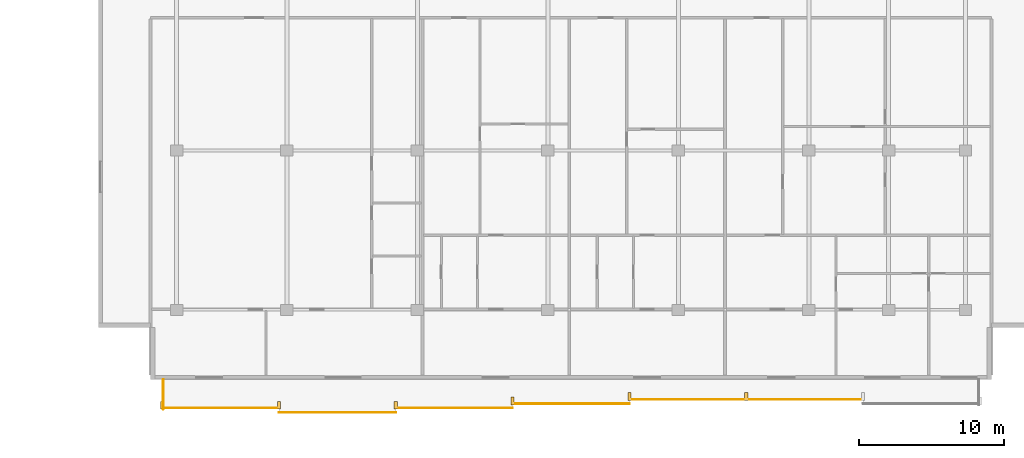
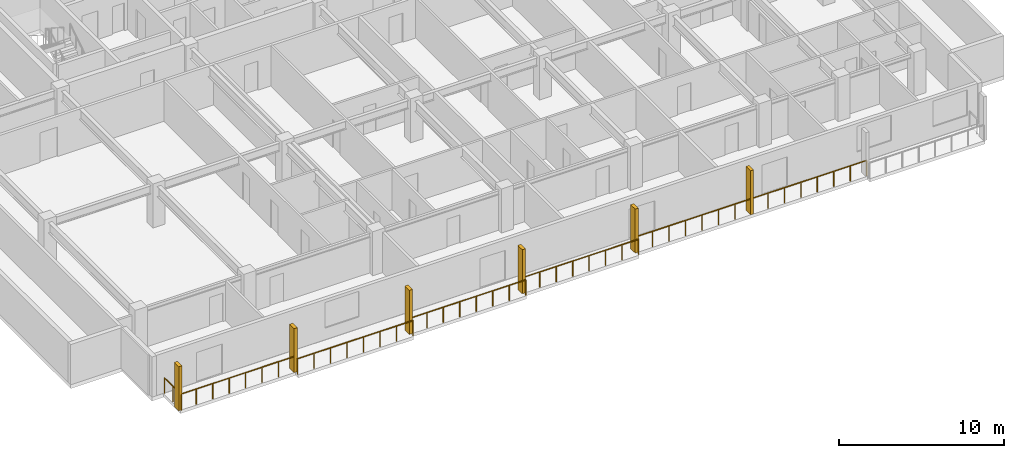
# One storey, part 17 of 21: 6 railings, 6 shading devices.
"""IFC4 building model written with IfcOpenShell, lengths in metres."""

from ifc_helpers import new_model, si_unit, direction, frame, origin, origin_2d, place, context, subcontext, project, spatial, rectangle, circle, extrude, material, type_object, element, save


model = new_model("IFC4")

# Units and contexts
model_context = context("Model", 3, precision=1e-05, world=origin(), true_north=direction((0.0, 1.0)))
body_context = subcontext(model_context, "Body", "Model", "MODEL_VIEW")
ifc_project = project(units=[si_unit("LENGTHUNIT", "METRE"), si_unit("AREAUNIT", "SQUARE_METRE"), si_unit("VOLUMEUNIT", "CUBIC_METRE"), si_unit("PLANEANGLEUNIT", "RADIAN"), si_unit("MASSUNIT", "GRAM", prefix="KILO")], contexts=[model_context])

# Site, building, storey
site_placement = place(None, origin())
site = spatial("IfcSite", under=ifc_project, at=site_placement, CompositionType="ELEMENT")
building_placement = place(site_placement, origin())
building = spatial("IfcBuilding", under=site, at=building_placement, Name="Korimba Cascade Residences", CompositionType="ELEMENT")
storey_placement = place(building_placement, frame((0.0, 0.0, 100.300048828125)))
storey = spatial("IfcBuildingStorey", under=building, at=storey_placement, Name="L28", CompositionType="ELEMENT", Elevation=100.300048828125)

# Railings
ifc_material_1 = material(Name="Laminated Glass and Bronze Balustrade", Category="glass")
railing_type = type_object("IfcRailingType", Name="RLG-LOG-1150", PredefinedType="BALUSTRADE", material=ifc_material_1)
for number, where, name in (
    (1, (73.5, -10.969970703125, 0.0), "L28 Perimeter Guardrail RLG-L28-T2-LOG-01"),
    (2, (81.55712890625, -11.27001953125, 0.0), "L28 Perimeter Guardrail RLG-L28-T2-LOG-02"),
    (3, (89.6142578125, -10.969970703125, 0.0), "L28 Perimeter Guardrail RLG-L28-T2-LOG-03"),
    (4, (97.67138671875, -10.669921875, 0.0), "L28 Perimeter Guardrail RLG-L28-T2-LOG-04"),
):
    element("IfcRailing", number, at=place(storey_placement, frame(where)), inside=storey, type_object=railing_type, Name=name, PredefinedType="BALUSTRADE", context=body_context, shape_type="SweptSolid", body=[
        extrude(circle(Radius=0.02392578125, at=origin_2d()), frame((0.0, 0.0, 1.1259765625), z_axis=(1.0, 0.0, 0.0), x_axis=(0.0, 1.0, 0.0)), (0.0, 0.0, 1.0), 8.05712890625),
        extrude(circle(Radius=0.02099609375, at=origin_2d()), origin(), (0.0, 0.0, 1.0), 1.101806640625),
        extrude(circle(Radius=0.02099609375, at=origin_2d()), frame((1.151123046875, 0.0, 0.0)), (0.0, 0.0, 1.0), 1.101806640625),
        extrude(circle(Radius=0.02099609375, at=origin_2d()), frame((2.302001953125, 0.0, 0.0)), (0.0, 0.0, 1.0), 1.101806640625),
        extrude(circle(Radius=0.02099609375, at=origin_2d()), frame((3.453125, 0.0, 0.0)), (0.0, 0.0, 1.0), 1.101806640625),
        extrude(circle(Radius=0.02099609375, at=origin_2d()), frame((4.60400390625, 0.0, 0.0)), (0.0, 0.0, 1.0), 1.101806640625),
        extrude(circle(Radius=0.02099609375, at=origin_2d()), frame((5.755126953125, 0.0, 0.0)), (0.0, 0.0, 1.0), 1.101806640625),
        extrude(circle(Radius=0.02099609375, at=origin_2d()), frame((6.906005859375, 0.0, 0.0)), (0.0, 0.0, 1.0), 1.101806640625),
        extrude(circle(Radius=0.02099609375, at=origin_2d()), frame((8.05712890625, 0.0, 0.0)), (0.0, 0.0, 1.0), 1.101806640625),
    ])
railing_1_placement = place(storey_placement, frame((105.728515625, -10.3701171875, 0.0)))
element("IfcRailing", 5, at=railing_1_placement, inside=storey, type_object=railing_type, Name="L28 Perimeter Guardrail RLG-L28-T2-LOG-05", PredefinedType="BALUSTRADE", context=body_context, shape_type="SweptSolid", body=[
    extrude(circle(Radius=0.02392578125, at=origin_2d()), frame((0.0, 0.0, 1.1259765625), z_axis=(1.0, 0.0, 0.0), x_axis=(0.0, 1.0, 0.0)), (0.0, 0.0, 1.0), 16.114501953125),
    extrude(circle(Radius=0.02099609375, at=origin_2d()), origin(), (0.0, 0.0, 1.0), 1.101806640625),
    extrude(circle(Radius=0.02099609375, at=origin_2d()), frame((1.151123046875, 0.0, 0.0)), (0.0, 0.0, 1.0), 1.101806640625),
    extrude(circle(Radius=0.02099609375, at=origin_2d()), frame((2.302001953125, 0.0, 0.0)), (0.0, 0.0, 1.0), 1.101806640625),
    extrude(circle(Radius=0.02099609375, at=origin_2d()), frame((3.453125, 0.0, 0.0)), (0.0, 0.0, 1.0), 1.101806640625),
    extrude(circle(Radius=0.02099609375, at=origin_2d()), frame((4.604248046875, 0.0, 0.0)), (0.0, 0.0, 1.0), 1.101806640625),
    extrude(circle(Radius=0.02099609375, at=origin_2d()), frame((5.755126953125, 0.0, 0.0)), (0.0, 0.0, 1.0), 1.101806640625),
    extrude(circle(Radius=0.02099609375, at=origin_2d()), frame((6.90625, 0.0, 0.0)), (0.0, 0.0, 1.0), 1.101806640625),
    extrude(circle(Radius=0.02099609375, at=origin_2d()), frame((8.05712890625, 0.0, 0.0)), (0.0, 0.0, 1.0), 1.101806640625),
    extrude(circle(Radius=0.02099609375, at=origin_2d()), frame((9.208251953125, 0.0, 0.0)), (0.0, 0.0, 1.0), 1.101806640625),
    extrude(circle(Radius=0.02099609375, at=origin_2d()), frame((10.359375, 0.0, 0.0)), (0.0, 0.0, 1.0), 1.101806640625),
    extrude(circle(Radius=0.02099609375, at=origin_2d()), frame((11.51025390625, 0.0, 0.0)), (0.0, 0.0, 1.0), 1.101806640625),
    extrude(circle(Radius=0.02099609375, at=origin_2d()), frame((12.661376953125, 0.0, 0.0)), (0.0, 0.0, 1.0), 1.101806640625),
    extrude(circle(Radius=0.02099609375, at=origin_2d()), frame((13.8125, 0.0, 0.0)), (0.0, 0.0, 1.0), 1.101806640625),
    extrude(circle(Radius=0.02099609375, at=origin_2d()), frame((14.96337890625, 0.0, 0.0)), (0.0, 0.0, 1.0), 1.101806640625),
    extrude(circle(Radius=0.02099609375, at=origin_2d()), frame((16.114501953125, 0.0, 0.0)), (0.0, 0.0, 1.0), 1.101806640625),
])
railing_2_placement = place(storey_placement, frame((73.580078125, -9.0, 0.0)))
element("IfcRailing", 6, at=railing_2_placement, inside=storey, type_object=railing_type, Name="L28 Perimeter Guardrail RLG-L28-T2-LOG-08", PredefinedType="BALUSTRADE", context=body_context, shape_type="SweptSolid", body=[
    extrude(circle(Radius=0.02392578125, at=origin_2d()), frame((0.0, 0.0, 1.1259765625), z_axis=(0.0, -1.0, 0.0), x_axis=(1.0, 0.0, 0.0)), (0.0, 0.0, 1.0), 2.050048828125),
    extrude(circle(Radius=0.02099609375, at=origin_2d()), origin(), (0.0, 0.0, 1.0), 1.101806640625),
    extrude(circle(Radius=0.02099609375, at=origin_2d()), frame((0.0, -1.02490234375, 0.0)), (0.0, 0.0, 1.0), 1.101806640625),
    extrude(circle(Radius=0.02099609375, at=origin_2d()), frame((0.0, -2.050048828125, 0.0)), (0.0, 0.0, 1.0), 1.101806640625),
])

# Shading devices
ifc_material_2 = material(Name="Honed Sandstone Precast Fin", Category="masonry")
shading_device_type = type_object("IfcShadingDeviceType", Name="SHD-FIN-550", PredefinedType="USERDEFINED", material=ifc_material_2)
for number, where, z_axis, x_axis, name in (
    (7, (73.5, -10.77490234375, 0.0), (0.0, 0.0, 1.0), (1.0, 0.0, 0.0), "L28 T2 Warm-Stone Loggia Fin 1"),
    (8, (81.55712890625, -10.77490234375, 0.0), (0.0, 0.0, 1.0), (1.0, 0.0, 0.0), "L28 T2 Warm-Stone Loggia Fin 2"),
    (9, (89.6142578125, -10.77490234375, 0.0), (0.0, 0.0, 1.0), (1.0, 0.0, 0.0), "L28 T2 Warm-Stone Loggia Fin 3"),
    (10, (97.67138671875, -10.47509765625, 0.0), (0.0, 0.0, 1.0), (1.0, 0.0, 0.0), "L28 T2 Warm-Stone Loggia Fin 4"),
    (11, (105.728515625, -10.175048828125, 0.0), (0.0, 0.0, 1.0), (1.0, 0.0, 0.0), "L28 T2 Warm-Stone Loggia Fin 5"),
    (12, (113.78564453125, -10.175048828125, 0.0), (0.0, 0.0, 1.0), (1.0, 0.0, 0.0), "L28 T2 Warm-Stone Loggia Fin 6"),
):
    element("IfcShadingDevice", number, at=place(storey_placement, frame(where, z_axis=z_axis, x_axis=x_axis)), inside=storey, type_object=shading_device_type, Name=name, ObjectType="FIN", PredefinedType="USERDEFINED", context=body_context, shape_type="SweptSolid", body=[
        extrude(rectangle(XDim=0.219970703125, YDim=0.550048828125, at=origin_2d()), origin(), (0.0, 0.0, 1.0), 3.25),
    ])

save(model, "model.ifc")
